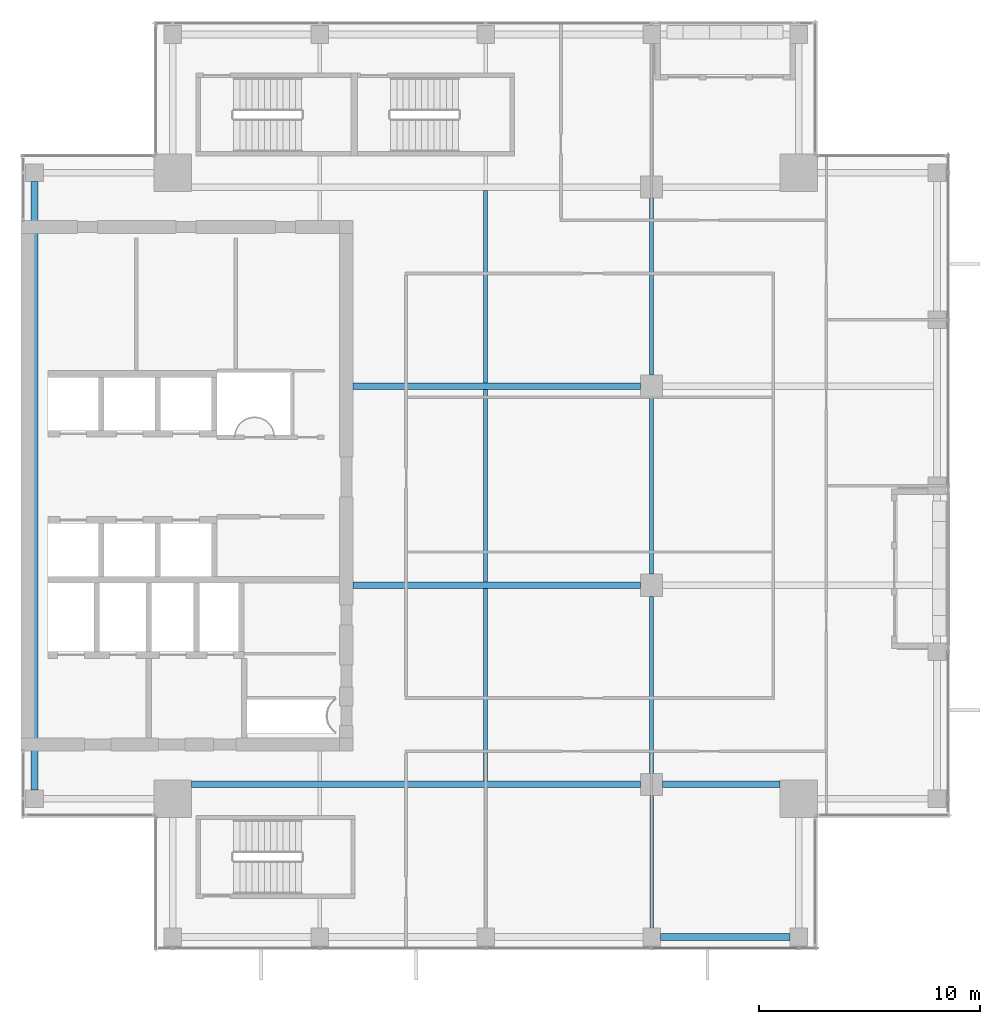
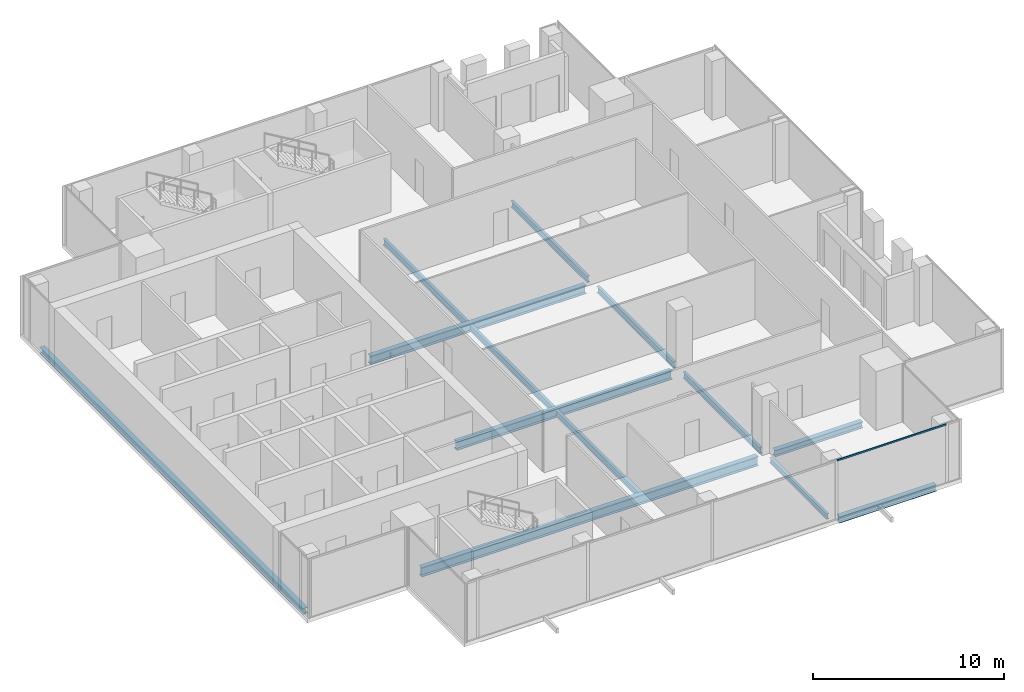
# One storey, part 7 of 29: 13 beams, 1 member, 1 element without a shape of its own.
"""IFC4 building model written with IfcOpenShell, lengths in metres."""

from ifc_helpers import new_model, si_unit, direction, frame, origin, origin_2d, place, context, subcontext, project, spatial, hollow_rectangle, i_section, extrude, source, transform, mapped, material, material_profile, profile_set, type_object, element, aggregate, save


model = new_model("IFC4")

# Units and contexts
model_context = context("Model", 3, precision=1e-05, world=origin(), true_north=direction((0.0, 1.0)))
body_context = subcontext(model_context, "Body", "Model", "MODEL_VIEW")
ifc_project = project(units=[si_unit("LENGTHUNIT", "METRE"), si_unit("AREAUNIT", "SQUARE_METRE"), si_unit("VOLUMEUNIT", "CUBIC_METRE"), si_unit("PLANEANGLEUNIT", "RADIAN"), si_unit("MASSUNIT", "GRAM", prefix="KILO")], contexts=[model_context])

# Site, building, storey
site_placement = place(None, origin())
site = spatial("IfcSite", under=ifc_project, at=site_placement, CompositionType="ELEMENT")
building_placement = place(site_placement, origin())
building = spatial("IfcBuilding", under=site, at=building_placement, Name="Khomas Fold Tower", CompositionType="ELEMENT")
storey_placement = place(building_placement, frame((0.0, 0.0, 290.199951171875)))
storey = spatial("IfcBuildingStorey", under=building, at=storey_placement, Name="L65", CompositionType="ELEMENT", Elevation=290.199951171875)

# Beams
ifc_material_1 = material(Name="Steel S355", Category="steel")
ifc_material_profile_1 = material_profile(ifc_material_1, i_section(OverallWidth=0.179931640625, OverallDepth=0.39990234375, WebThickness=0.008544921875, FlangeThickness=0.013427734375, at=origin_2d()), Name="IPE 400")
ifc_profile_set_1 = profile_set([ifc_material_profile_1], Name="Steel S355")
beam_type_1 = type_object("IfcBeamType", Name="IPE 400 beam JB3", PredefinedType="BEAM", material=ifc_profile_set_1)
shared_shape_1 = source(origin(), body_context, "Body", "SweptSolid", [
    extrude(i_section(OverallWidth=0.179931640625, OverallDepth=0.39990234375, WebThickness=0.008544921875, FlangeThickness=0.013427734375, at=origin_2d()), origin(), (0.0, 0.0, 1.0), 8.7001953125),
])
for number, where, z_axis, x_axis, name in (
    (1, (27.0, 13.64990234375, -0.449951171875), (0.0, 1.0, 0.0), (-1.0, 0.0, 0.0), "JB3"),
    (2, (27.0, 22.64990234375, -0.449951171875), (0.0, 1.0, 0.0), (-1.0, 0.0, 0.0), "JB3"),
    (3, (27.0, 31.64990234375, -0.449951171875), (0.0, 1.0, 0.0), (-1.0, 0.0, 0.0), "JB3"),
):
    element("IfcBeam", number, at=place(storey_placement, frame(where, z_axis=z_axis, x_axis=x_axis)), inside=storey, type_object=beam_type_1, Name=name, PredefinedType="BEAM", context=body_context, shape_type="MappedRepresentation", body=[
        mapped(shared_shape_1, transform((0.0, 0.0, 0.0))),
    ])
ifc_material_2 = material(Name="Steel S355", Category="steel")
ifc_material_profile_2 = material_profile(ifc_material_2, i_section(OverallWidth=0.300048828125, OverallDepth=0.39990234375, WebThickness=0.013427734375, FlangeThickness=0.02392578125, at=origin_2d()), Name="HE 400 B")
ifc_profile_set_2 = profile_set([ifc_material_profile_2], Name="Steel S355")
beam_type_2 = type_object("IfcBeamType", Name="HE 400 B spandrel SB5", PredefinedType="SPANDREL", material=ifc_profile_set_2)
shared_shape_2 = source(origin(), body_context, "Body", "SweptSolid", [
    extrude(i_section(OverallWidth=0.300048828125, OverallDepth=0.39990234375, WebThickness=0.013427734375, FlangeThickness=0.02392578125, at=origin_2d()), origin(), (0.0, 0.0, 1.0), 5.85009765625),
])
beam_1_placement = place(storey_placement, frame((34.89990234375, 6.60009765625, -0.449951171875), z_axis=(1.0, 0.0, 0.0), x_axis=(0.0, 1.0, 0.0)))
element("IfcBeam", 4, at=beam_1_placement, inside=storey, type_object=beam_type_2, Name="SB5", PredefinedType="SPANDREL", context=body_context, shape_type="MappedRepresentation", body=[
    mapped(shared_shape_2, transform((0.0, 0.0, 0.0))),
])
shared_shape_3 = source(origin(), body_context, "Body", "SweptSolid", [
    extrude(i_section(OverallWidth=0.300048828125, OverallDepth=0.39990234375, WebThickness=0.013427734375, FlangeThickness=0.02392578125, at=origin_2d()), origin(), (0.0, 0.0, 1.0), 27.5),
])
beam_2_placement = place(storey_placement, frame((6.60009765625, 13.25, -0.449951171875), z_axis=(0.0, 1.0, 0.0), x_axis=(-1.0, 0.0, 0.0)))
element("IfcBeam", 5, at=beam_2_placement, inside=storey, type_object=beam_type_2, Name="SB5", PredefinedType="SPANDREL", context=body_context, shape_type="MappedRepresentation", body=[
    mapped(shared_shape_3, transform((0.0, 0.0, 0.0))),
])
ifc_material_3 = material(Name="Steel S355", Category="steel")
ifc_material_profile_3 = material_profile(ifc_material_3, i_section(OverallWidth=0.300048828125, OverallDepth=0.60009765625, WebThickness=0.015380859375, FlangeThickness=0.030029296875, at=origin_2d()), Name="HE 600 B")
ifc_profile_set_3 = profile_set([ifc_material_profile_3], Name="Steel S355")
beam_type_3 = type_object("IfcBeamType", Name="HE 600 B beam GB5", PredefinedType="BEAM", material=ifc_profile_set_3)
shared_shape_4 = source(origin(), body_context, "Body", "SweptSolid", [
    extrude(i_section(OverallWidth=0.300048828125, OverallDepth=0.60009765625, WebThickness=0.015380859375, FlangeThickness=0.030029296875, at=origin_2d()), origin(), (0.0, 0.0, 1.0), 20.300048828125),
])
beam_3_placement = place(storey_placement, frame((13.699951171875, 13.5, -0.550048828125), z_axis=(1.0, 0.0, 0.0), x_axis=(0.0, 1.0, 0.0)))
element("IfcBeam", 6, at=beam_3_placement, inside=storey, type_object=beam_type_3, Name="GB5", PredefinedType="BEAM", context=body_context, shape_type="MappedRepresentation", body=[
    mapped(shared_shape_4, transform((0.0, 0.0, 0.0))),
])
ifc_material_4 = material(Name="Steel S355", Category="steel")
ifc_material_profile_4 = material_profile(ifc_material_4, i_section(OverallWidth=0.300048828125, OverallDepth=0.39990234375, WebThickness=0.013427734375, FlangeThickness=0.02392578125, at=origin_2d()), Name="HE 400 B")
ifc_profile_set_4 = profile_set([ifc_material_profile_4], Name="Steel S355")
beam_type_4 = type_object("IfcBeamType", Name="HE 400 B beam GB1", PredefinedType="BEAM", material=ifc_profile_set_4)
shared_shape_5 = source(origin(), body_context, "Body", "SweptSolid", [
    extrude(i_section(OverallWidth=0.300048828125, OverallDepth=0.39990234375, WebThickness=0.013427734375, FlangeThickness=0.02392578125, at=origin_2d()), origin(), (0.0, 0.0, 1.0), 5.300048828125),
])
beam_4_placement = place(storey_placement, frame((35.0, 13.5, -0.449951171875), z_axis=(1.0, 0.0, 0.0), x_axis=(0.0, 1.0, 0.0)))
element("IfcBeam", 7, at=beam_4_placement, inside=storey, type_object=beam_type_4, Name="GB1", PredefinedType="BEAM", context=body_context, shape_type="MappedRepresentation", body=[
    mapped(shared_shape_5, transform((0.0, 0.0, 0.0))),
])
ifc_material_5 = material(Name="Steel S355", Category="steel")
ifc_material_profile_5 = material_profile(ifc_material_5, i_section(OverallWidth=0.300048828125, OverallDepth=0.550048828125, WebThickness=0.014892578125, FlangeThickness=0.029052734375, at=origin_2d()), Name="HE 550 B")
ifc_profile_set_5 = profile_set([ifc_material_profile_5], Name="Steel S355")
beam_type_5 = type_object("IfcBeamType", Name="HE 550 B beam GB4", PredefinedType="BEAM", material=ifc_profile_set_5)
shared_shape_6 = source(origin(), body_context, "Body", "SweptSolid", [
    extrude(i_section(OverallWidth=0.300048828125, OverallDepth=0.550048828125, WebThickness=0.014892578125, FlangeThickness=0.029052734375, at=origin_2d()), origin(), (0.0, 0.0, 1.0), 13.0),
])
for number, where, z_axis, x_axis, name in (
    (8, (21.0, 22.5, -0.52490234375), (1.0, 0.0, 0.0), (0.0, 1.0, 0.0), "GB4"),
    (9, (21.0, 31.5, -0.52490234375), (1.0, 0.0, 0.0), (0.0, 1.0, 0.0), "GB4"),
):
    element("IfcBeam", number, at=place(storey_placement, frame(where, z_axis=z_axis, x_axis=x_axis)), inside=storey, type_object=beam_type_5, Name=name, PredefinedType="BEAM", context=body_context, shape_type="MappedRepresentation", body=[
        mapped(shared_shape_6, transform((0.0, 0.0, 0.0))),
    ])
ifc_material_6 = material(Name="Steel S355", Category="steel")
ifc_material_profile_6 = material_profile(ifc_material_6, i_section(OverallWidth=0.159912109375, OverallDepth=0.330078125, WebThickness=0.007568359375, FlangeThickness=0.011474609375, at=origin_2d()), Name="IPE 330")
ifc_profile_set_6 = profile_set([ifc_material_profile_6], Name="Steel S355")
beam_type_6 = type_object("IfcBeamType", Name="IPE 330 beam JB1", PredefinedType="BEAM", material=ifc_profile_set_6)
shared_shape_7 = source(origin(), body_context, "Body", "SweptSolid", [
    extrude(i_section(OverallWidth=0.159912109375, OverallDepth=0.330078125, WebThickness=0.007568359375, FlangeThickness=0.011474609375, at=origin_2d()), origin(), (0.0, 0.0, 1.0), 6.0),
])
beam_5_placement = place(storey_placement, frame((34.5, 7.0, -0.4150390625), z_axis=(0.0, 1.0, 0.0), x_axis=(-1.0, 0.0, 0.0)))
element("IfcBeam", 10, at=beam_5_placement, inside=storey, type_object=beam_type_6, Name="JB1", PredefinedType="BEAM", context=body_context, shape_type="MappedRepresentation", body=[
    mapped(shared_shape_7, transform((0.0, 0.0, 0.0))),
])
shared_shape_8 = source(origin(), body_context, "Body", "SweptSolid", [
    extrude(i_section(OverallWidth=0.179931640625, OverallDepth=0.39990234375, WebThickness=0.008544921875, FlangeThickness=0.013427734375, at=origin_2d()), origin(), (0.0, 0.0, 1.0), 8.0),
])
for number, where, z_axis, x_axis, name in (
    (11, (34.5, 14.0, -0.449951171875), (0.0, 1.0, 0.0), (-1.0, 0.0, 0.0), "JB3"),
    (12, (34.5, 23.0, -0.449951171875), (0.0, 1.0, 0.0), (-1.0, 0.0, 0.0), "JB3"),
    (13, (34.5, 32.0, -0.449951171875), (0.0, 1.0, 0.0), (-1.0, 0.0, 0.0), "JB3"),
):
    element("IfcBeam", number, at=place(storey_placement, frame(where, z_axis=z_axis, x_axis=x_axis)), inside=storey, type_object=beam_type_1, Name=name, PredefinedType="BEAM", context=body_context, shape_type="MappedRepresentation", body=[
        mapped(shared_shape_8, transform((0.0, 0.0, 0.0))),
    ])

# Curtain wall, member
ifc_material_7 = material(Name="Aluminium framed double glazing", Category="aluminium")
curtain_wall_type = type_object("IfcCurtainWallType", Name="SK-Unitised clear-glass wall, upper floors CW3", PredefinedType="NOTDEFINED", material=ifc_material_7)
curtain_wall_placement = place(storey_placement, origin())
curtain_wall = element("IfcCurtainWall", 14, at=curtain_wall_placement, inside=storey, type_object=curtain_wall_type, Name="CW3 run L65 00-0", PredefinedType="NOTDEFINED")
ifc_material_8 = material(Name="Aluminium", Category="aluminium")
ifc_material_profile_7 = material_profile(ifc_material_8, hollow_rectangle(XDim=0.050048828125, YDim=0.10009765625, WallThickness=0.00390625, at=origin_2d()), Name="SK-Unitised clear-glass wall, upper floors transom CW3-T")
ifc_profile_set_7 = profile_set([ifc_material_profile_7], Name="Aluminium")
member_type = type_object("IfcMemberType", Name="SK-Unitised clear-glass wall, upper floors transom CW3-T", PredefinedType="USERDEFINED", material=ifc_profile_set_7)
shared_shape_9 = source(origin(), body_context, "Body", "SweptSolid", [
    extrude(hollow_rectangle(XDim=0.050048828125, YDim=0.10009765625, WallThickness=0.00390625, at=origin_2d()), origin(), (0.0, 0.0, 1.0), 6.60009765625),
])
member_placement = place(storey_placement, frame((34.52490234375, 6.10009765625, 3.699951171875), z_axis=(1.0, 0.0, 0.0), x_axis=(0.0, 1.0, 0.0)))
member = element("IfcMember", 15, at=member_placement, type_object=member_type, Name="CW3 transom 5", ObjectType="TRANSOM", PredefinedType="USERDEFINED", context=body_context, shape_type="MappedRepresentation", body=[
    mapped(shared_shape_9, transform((0.0, 0.0, 0.0))),
])
aggregate(curtain_wall, [member])

save(model, "model.ifc")
